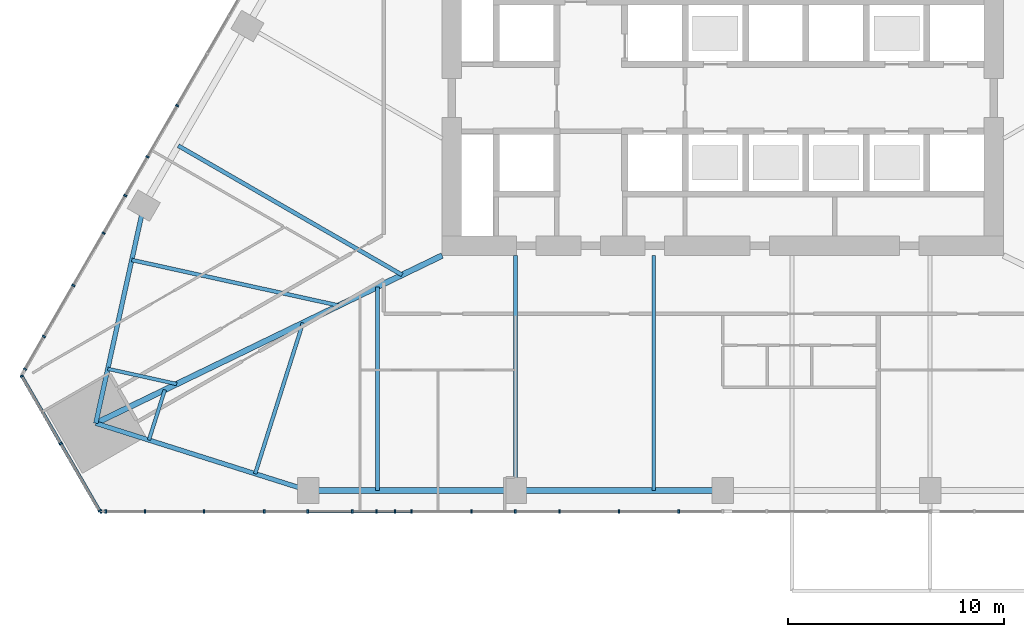
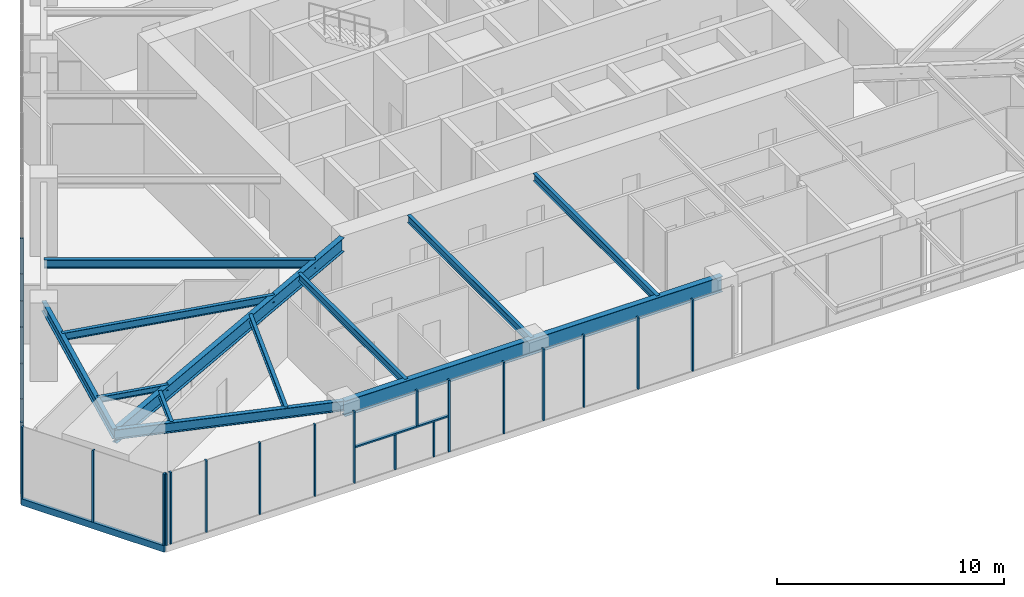
# One storey, part 2 of 29: 27 members, 12 beams, 3 elements without a shape of their own.
"""IFC4 building model written with IfcOpenShell, lengths in metres."""

from ifc_helpers import new_model, si_unit, direction, frame, origin, origin_2d, place, context, subcontext, project, spatial, rectangle, i_section, extrude, material, layer, layer_set, material_profile, profile_set, type_object, element, aggregate, save


model = new_model("IFC4")

# Units and contexts
model_context = context("Model", 3, precision=1e-05, world=origin(), true_north=direction((0.0, 1.0)))
body_context = subcontext(model_context, "Body", "Model", "MODEL_VIEW")
ifc_project = project(units=[si_unit("LENGTHUNIT", "METRE"), si_unit("AREAUNIT", "SQUARE_METRE"), si_unit("VOLUMEUNIT", "CUBIC_METRE"), si_unit("PLANEANGLEUNIT", "RADIAN"), si_unit("MASSUNIT", "GRAM", prefix="KILO")], contexts=[model_context])

# Site, building, storey
site_placement = place(None, origin())
site = spatial("IfcSite", under=ifc_project, at=site_placement, CompositionType="ELEMENT")
building_placement = place(site_placement, origin())
building = spatial("IfcBuilding", under=site, at=building_placement, Name="Firuza Gate Tower and Library", CompositionType="ELEMENT")
storey_placement = place(building_placement, frame((0.0, 0.0, 44.199951171875)))
storey = spatial("IfcBuildingStorey", under=building, at=storey_placement, Name="L09", CompositionType="ELEMENT", Elevation=44.199951171875)

# Curtain wall, members
ifc_material_1 = material(Name="Aluminium 6063-T6", Category="aluminium")
ifc_layer_1 = layer(ifc_material_1, 0.14990234375)
ifc_layer_set_1 = layer_set([ifc_layer_1], Name="Unitised curtain wall, offices")
curtain_wall_type_1 = type_object("IfcCurtainWallType", Name="Unitised curtain wall, offices", PredefinedType="NOTDEFINED", material=ifc_layer_set_1)
placement = place(storey_placement, origin())
curtain_wall_1 = element("IfcCurtainWall", 1, at=placement, inside=storey, type_object=curtain_wall_type_1, Name="CW1 L09 S face", PredefinedType="NOTDEFINED")
ifc_material_2 = material(Name="Aluminium 6063-T6", Category="aluminium")
ifc_material_profile_1 = material_profile(ifc_material_2, rectangle(XDim=0.14990234375, YDim=0.080078125, at=origin_2d()))
ifc_profile_set_1 = profile_set([ifc_material_profile_1], Name="Aluminium 6063-T6")
member_type_1 = type_object("IfcMemberType", Name="Curtain wall mullion 80x150", PredefinedType="MULLION", material=ifc_profile_set_1)
member_1_placement = place(storey_placement, frame((46.19677734375, 54.140380859375, 0.150146484375), z_axis=(0.0, 0.0, 1.0), x_axis=(0.0, 1.0, 0.0)))
member_1 = element("IfcMember", 2, at=member_1_placement, type_object=member_type_1, Name="Mullion", PredefinedType="MULLION", context=body_context, shape_type="SweptSolid", body=[
    extrude(rectangle(XDim=0.14990234375, YDim=0.080078125, at=origin_2d()), origin(), (0.0, 0.0, 1.0), 3.849853515625),
])
member_2_placement = place(storey_placement, frame((50.9638671875, 54.140380859375, 0.150146484375), z_axis=(0.0, 0.0, 1.0), x_axis=(0.0, 1.0, 0.0)))
member_2 = element("IfcMember", 3, at=member_2_placement, type_object=member_type_1, Name="Mullion", PredefinedType="MULLION", context=body_context, shape_type="SweptSolid", body=[
    extrude(rectangle(XDim=0.14990234375, YDim=0.080078125, at=origin_2d()), origin(), (0.0, 0.0, 1.0), 3.849853515625),
])
member_3_placement = place(storey_placement, frame((55.771240234375, 54.140380859375, 0.150146484375), z_axis=(0.0, 0.0, 1.0), x_axis=(0.0, 1.0, 0.0)))
member_3 = element("IfcMember", 4, at=member_3_placement, type_object=member_type_1, Name="Mullion", PredefinedType="MULLION", context=body_context, shape_type="SweptSolid", body=[
    extrude(rectangle(XDim=0.14990234375, YDim=0.080078125, at=origin_2d()), origin(), (0.0, 0.0, 1.0), 3.849853515625),
])
member_4_placement = place(storey_placement, frame((60.578369140625, 54.140380859375, 0.150146484375), z_axis=(0.0, 0.0, 1.0), x_axis=(0.0, 1.0, 0.0)))
member_4 = element("IfcMember", 5, at=member_4_placement, type_object=member_type_1, Name="Mullion", PredefinedType="MULLION", context=body_context, shape_type="SweptSolid", body=[
    extrude(rectangle(XDim=0.14990234375, YDim=0.080078125, at=origin_2d()), origin(), (0.0, 0.0, 1.0), 3.849853515625),
])
member_5_placement = place(storey_placement, frame((65.385498046875, 54.140380859375, 0.150146484375), z_axis=(0.0, 0.0, 1.0), x_axis=(0.0, 1.0, 0.0)))
member_5 = element("IfcMember", 6, at=member_5_placement, type_object=member_type_1, Name="Mullion", PredefinedType="MULLION", context=body_context, shape_type="SweptSolid", body=[
    extrude(rectangle(XDim=0.14990234375, YDim=0.080078125, at=origin_2d()), origin(), (0.0, 0.0, 1.0), 3.849853515625),
])
member_6_placement = place(storey_placement, frame((70.19287109375, 54.140380859375, 0.150146484375), z_axis=(0.0, 0.0, 1.0), x_axis=(0.0, 1.0, 0.0)))
member_6 = element("IfcMember", 7, at=member_6_placement, type_object=member_type_1, Name="Mullion", PredefinedType="MULLION", context=body_context, shape_type="SweptSolid", body=[
    extrude(rectangle(XDim=0.14990234375, YDim=0.080078125, at=origin_2d()), origin(), (0.0, 0.0, 1.0), 3.849853515625),
])
member_7_placement = place(storey_placement, frame((46.4228515625, 54.140380859375, 0.150146484375), z_axis=(0.0, 0.0, 1.0), x_axis=(0.0, 1.0, 0.0)))
member_7 = element("IfcMember", 8, at=member_7_placement, type_object=member_type_1, Name="Mullion", PredefinedType="MULLION", context=body_context, shape_type="SweptSolid", body=[
    extrude(rectangle(XDim=0.14990234375, YDim=0.080078125, at=origin_2d()), origin(), (0.0, 0.0, 1.0), 3.849853515625),
])
member_8_placement = place(storey_placement, frame((48.237548828125, 54.140380859375, 0.150146484375), z_axis=(0.0, 0.0, 1.0), x_axis=(0.0, 1.0, 0.0)))
member_8 = element("IfcMember", 9, at=member_8_placement, type_object=member_type_1, Name="Mullion", PredefinedType="MULLION", context=body_context, shape_type="SweptSolid", body=[
    extrude(rectangle(XDim=0.14990234375, YDim=0.080078125, at=origin_2d()), origin(), (0.0, 0.0, 1.0), 3.849853515625),
])
member_9_placement = place(storey_placement, frame((53.762451171875, 54.140380859375, 0.150146484375), z_axis=(0.0, 0.0, 1.0), x_axis=(0.0, 1.0, 0.0)))
member_9 = element("IfcMember", 10, at=member_9_placement, type_object=member_type_1, Name="Mullion", PredefinedType="MULLION", context=body_context, shape_type="SweptSolid", body=[
    extrude(rectangle(XDim=0.14990234375, YDim=0.080078125, at=origin_2d()), origin(), (0.0, 0.0, 1.0), 3.849853515625),
])
member_10_placement = place(storey_placement, frame((57.837646484375, 54.140380859375, 0.150146484375), z_axis=(0.0, 0.0, 1.0), x_axis=(0.0, 1.0, 0.0)))
member_10 = element("IfcMember", 11, at=member_10_placement, type_object=member_type_1, Name="Mullion", PredefinedType="MULLION", context=body_context, shape_type="SweptSolid", body=[
    extrude(rectangle(XDim=0.14990234375, YDim=0.080078125, at=origin_2d()), origin(), (0.0, 0.0, 1.0), 1.885009765625),
])
member_11_placement = place(storey_placement, frame((59.81103515625, 54.140380859375, 0.150146484375), z_axis=(0.0, 0.0, 1.0), x_axis=(0.0, 1.0, 0.0)))
member_11 = element("IfcMember", 12, at=member_11_placement, type_object=member_type_1, Name="Mullion", PredefinedType="MULLION", context=body_context, shape_type="SweptSolid", body=[
    extrude(rectangle(XDim=0.14990234375, YDim=0.080078125, at=origin_2d()), origin(), (0.0, 0.0, 1.0), 1.885009765625),
])
member_12_placement = place(storey_placement, frame((58.96044921875, 54.140380859375, 2.114990234375), z_axis=(0.0, 0.0, 1.0), x_axis=(0.0, 1.0, 0.0)))
member_12 = element("IfcMember", 13, at=member_12_placement, type_object=member_type_1, Name="Mullion", PredefinedType="MULLION", context=body_context, shape_type="SweptSolid", body=[
    extrude(rectangle(XDim=0.14990234375, YDim=0.080078125, at=origin_2d()), origin(), (0.0, 0.0, 1.0), 1.885009765625),
])
member_13_placement = place(storey_placement, frame((63.3623046875, 54.140380859375, 0.150146484375), z_axis=(0.0, 0.0, 1.0), x_axis=(0.0, 1.0, 0.0)))
member_13 = element("IfcMember", 14, at=member_13_placement, type_object=member_type_1, Name="Mullion", PredefinedType="MULLION", context=body_context, shape_type="SweptSolid", body=[
    extrude(rectangle(XDim=0.14990234375, YDim=0.080078125, at=origin_2d()), origin(), (0.0, 0.0, 1.0), 3.849853515625),
])
member_14_placement = place(storey_placement, frame((67.4375, 54.140380859375, 0.150146484375), z_axis=(0.0, 0.0, 1.0), x_axis=(0.0, 1.0, 0.0)))
member_14 = element("IfcMember", 15, at=member_14_placement, type_object=member_type_1, Name="Mullion", PredefinedType="MULLION", context=body_context, shape_type="SweptSolid", body=[
    extrude(rectangle(XDim=0.14990234375, YDim=0.080078125, at=origin_2d()), origin(), (0.0, 0.0, 1.0), 3.849853515625),
])
member_15_placement = place(storey_placement, frame((72.96240234375, 54.140380859375, 0.150146484375), z_axis=(0.0, 0.0, 1.0), x_axis=(0.0, 1.0, 0.0)))
member_15 = element("IfcMember", 16, at=member_15_placement, type_object=member_type_1, Name="Mullion", PredefinedType="MULLION", context=body_context, shape_type="SweptSolid", body=[
    extrude(rectangle(XDim=0.14990234375, YDim=0.080078125, at=origin_2d()), origin(), (0.0, 0.0, 1.0), 3.849853515625),
])

curtain_wall_2 = element("IfcCurtainWall", 17, at=placement, inside=storey, type_object=curtain_wall_type_1, Name="CW1 L09 W face", PredefinedType="NOTDEFINED")
member_16_placement = place(storey_placement, frame((49.72412109375, 72.940185546875, 0.150146484375), z_axis=(0.0, 0.0, 1.0), x_axis=(0.866025403784, -0.5, 0.0)))
member_16 = element("IfcMember", 18, at=member_16_placement, type_object=member_type_1, Name="Mullion", PredefinedType="MULLION", context=body_context, shape_type="SweptSolid", body=[
    extrude(rectangle(XDim=0.14990234375, YDim=0.080078125, at=origin_2d()), origin(), (0.0, 0.0, 1.0), 3.849853515625),
])
member_17_placement = place(storey_placement, frame((47.320556640625, 68.777099609375, 0.150146484375), z_axis=(0.0, 0.0, 1.0), x_axis=(0.866025403784, -0.5, 0.0)))
member_17 = element("IfcMember", 19, at=member_17_placement, type_object=member_type_1, Name="Mullion", PredefinedType="MULLION", context=body_context, shape_type="SweptSolid", body=[
    extrude(rectangle(XDim=0.14990234375, YDim=0.080078125, at=origin_2d()), origin(), (0.0, 0.0, 1.0), 3.849853515625),
])
member_18_placement = place(storey_placement, frame((44.9169921875, 64.614013671875, 0.150146484375), z_axis=(0.0, 0.0, 1.0), x_axis=(0.866025403784, -0.5, 0.0)))
member_18 = element("IfcMember", 20, at=member_18_placement, type_object=member_type_1, Name="Mullion", PredefinedType="MULLION", context=body_context, shape_type="SweptSolid", body=[
    extrude(rectangle(XDim=0.14990234375, YDim=0.080078125, at=origin_2d()), origin(), (0.0, 0.0, 1.0), 3.849853515625),
])
member_19_placement = place(storey_placement, frame((48.353759765625, 70.566650390625, 0.150146484375), z_axis=(0.0, 0.0, 1.0), x_axis=(0.866025403784, -0.5, 0.0)))
member_19 = element("IfcMember", 21, at=member_19_placement, type_object=member_type_1, Name="Mullion", PredefinedType="MULLION", context=body_context, shape_type="SweptSolid", body=[
    extrude(rectangle(XDim=0.14990234375, YDim=0.080078125, at=origin_2d()), origin(), (0.0, 0.0, 1.0), 3.849853515625),
])
member_20_placement = place(storey_placement, frame((46.316162109375, 67.03759765625, 0.150146484375), z_axis=(0.0, 0.0, 1.0), x_axis=(0.866025403784, -0.5, 0.0)))
member_20 = element("IfcMember", 22, at=member_20_placement, type_object=member_type_1, Name="Mullion", PredefinedType="MULLION", context=body_context, shape_type="SweptSolid", body=[
    extrude(rectangle(XDim=0.14990234375, YDim=0.080078125, at=origin_2d()), origin(), (0.0, 0.0, 1.0), 3.849853515625),
])
member_21_placement = place(storey_placement, frame((43.553955078125, 62.2529296875, 0.150146484375), z_axis=(0.0, 0.0, 1.0), x_axis=(0.866025403784, -0.5, 0.0)))
member_21 = element("IfcMember", 23, at=member_21_placement, type_object=member_type_1, Name="Mullion", PredefinedType="MULLION", context=body_context, shape_type="SweptSolid", body=[
    extrude(rectangle(XDim=0.14990234375, YDim=0.080078125, at=origin_2d()), origin(), (0.0, 0.0, 1.0), 3.849853515625),
])
member_22_placement = place(storey_placement, frame((42.678955078125, 60.737548828125, 0.150146484375), z_axis=(0.0, 0.0, 1.0), x_axis=(0.866025403784, -0.5, 0.0)))
member_22 = element("IfcMember", 24, at=member_22_placement, type_object=member_type_1, Name="Mullion", PredefinedType="MULLION", context=body_context, shape_type="SweptSolid", body=[
    extrude(rectangle(XDim=0.14990234375, YDim=0.080078125, at=origin_2d()), origin(), (0.0, 0.0, 1.0), 3.849853515625),
])
aggregate(curtain_wall_2, [member_16, member_17, member_18, member_19, member_20, member_21, member_22])

ifc_material_3 = material(Name="Aluminium 6063-T6", Category="aluminium")
ifc_layer_2 = layer(ifc_material_3, 0.14990234375)
ifc_layer_set_2 = layer_set([ifc_layer_2], Name="Corner curtain wall, chamfers")
curtain_wall_type_2 = type_object("IfcCurtainWallType", Name="Corner curtain wall, chamfers", PredefinedType="NOTDEFINED", material=ifc_layer_set_2)
curtain_wall_3 = element("IfcCurtainWall", 25, at=placement, inside=storey, type_object=curtain_wall_type_2, Name="CW4 L09 SW corner", PredefinedType="NOTDEFINED")
member_23_placement = place(storey_placement, frame((42.533447265625, 60.416015625, 0.150146484375), z_axis=(0.0, 0.0, 1.0), x_axis=(0.866025403784, 0.5, 0.0)))
member_23 = element("IfcMember", 26, at=member_23_placement, type_object=member_type_1, Name="Mullion", PredefinedType="MULLION", context=body_context, shape_type="SweptSolid", body=[
    extrude(rectangle(XDim=0.14990234375, YDim=0.080078125, at=origin_2d()), origin(), (0.0, 0.0, 1.0), 3.849853515625),
])
member_24_placement = place(storey_placement, frame((44.3349609375, 57.295654296875, 0.150146484375), z_axis=(0.0, 0.0, 1.0), x_axis=(0.866025403784, 0.5, 0.0)))
member_24 = element("IfcMember", 27, at=member_24_placement, type_object=member_type_1, Name="Mullion", PredefinedType="MULLION", context=body_context, shape_type="SweptSolid", body=[
    extrude(rectangle(XDim=0.14990234375, YDim=0.080078125, at=origin_2d()), origin(), (0.0, 0.0, 1.0), 3.849853515625),
])
member_25_placement = place(storey_placement, frame((46.13671875, 54.175048828125, 0.150146484375), z_axis=(0.0, 0.0, 1.0), x_axis=(0.866025403784, 0.5, 0.0)))
member_25 = element("IfcMember", 28, at=member_25_placement, type_object=member_type_1, Name="Mullion", PredefinedType="MULLION", context=body_context, shape_type="SweptSolid", body=[
    extrude(rectangle(XDim=0.14990234375, YDim=0.080078125, at=origin_2d()), origin(), (0.0, 0.0, 1.0), 3.849853515625),
])
ifc_material_4 = material(Name="Aluminium 6063-T6", Category="aluminium")
ifc_material_profile_2 = material_profile(ifc_material_4, rectangle(XDim=0.14990234375, YDim=0.35009765625, at=origin_2d()))
ifc_profile_set_2 = profile_set([ifc_material_profile_2], Name="Aluminium 6063-T6")
member_type_2 = type_object("IfcMemberType", Name="Curtain wall transom 350x150", PredefinedType="USERDEFINED", material=ifc_profile_set_2)
member_26_placement = place(storey_placement, frame((42.513427734375, 60.45068359375, -0.02490234375), z_axis=(0.500005719219, -0.866022101766, 0.0), x_axis=(0.866022101766, 0.500005719219, 0.0)))
member_26 = element("IfcMember", 29, at=member_26_placement, type_object=member_type_2, Name="Transom", ObjectType="TRANSOM", PredefinedType="USERDEFINED", context=body_context, shape_type="SweptSolid", body=[
    extrude(rectangle(XDim=0.14990234375, YDim=0.35009765625, at=origin_2d()), origin(), (0.0, 0.0, 1.0), 7.28662109375),
])
aggregate(curtain_wall_3, [member_23, member_24, member_25, member_26])

# Member
ifc_material_5 = material(Name="Aluminium 6063-T6", Category="aluminium")
ifc_material_profile_3 = material_profile(ifc_material_5, rectangle(XDim=0.14990234375, YDim=0.080078125, at=origin_2d()))
ifc_profile_set_3 = profile_set([ifc_material_profile_3], Name="Aluminium 6063-T6")
member_type_3 = type_object("IfcMemberType", Name="Curtain wall transom 80x150", PredefinedType="USERDEFINED", material=ifc_profile_set_3)
member_27_placement = place(storey_placement, frame((55.81103515625, 54.140380859375, 2.074951171875), z_axis=(1.0, 0.0, 0.0), x_axis=(0.0, 1.0, 0.0)))
member_27 = element("IfcMember", 30, at=member_27_placement, type_object=member_type_3, Name="Transom", ObjectType="TRANSOM", PredefinedType="USERDEFINED", context=body_context, shape_type="SweptSolid", body=[
    extrude(rectangle(XDim=0.14990234375, YDim=0.080078125, at=origin_2d()), origin(), (0.0, 0.0, 1.0), 4.727294921875),
])

aggregate(curtain_wall_1, [member_1, member_2, member_3, member_4, member_5, member_6, member_7, member_8, member_9, member_10, member_11, member_12, member_27, member_13, member_14, member_15])

# Beams
ifc_material_6 = material(Name="Steel S355", Category="steel")
ifc_material_profile_4 = material_profile(ifc_material_6, i_section(OverallWidth=0.1650390625, OverallDepth=0.31005859375, WebThickness=0.005859375, FlangeThickness=0.009765625, at=origin_2d()))
ifc_profile_set_4 = profile_set([ifc_material_profile_4], Name="Steel S355")
beam_type_1 = type_object("IfcBeamType", Name="W310x39 Floor beam", PredefinedType="JOIST", material=ifc_profile_set_4)
beam_1_placement = place(storey_placement, frame((46.513916015625, 60.75341796875, 3.844970703125), z_axis=(0.976601243751, -0.215058156564, 0.0), x_axis=(0.215058156564, 0.976601243751, 0.0)))
element("IfcBeam", 31, at=beam_1_placement, inside=storey, type_object=beam_type_1, Name="Floor beam L09 s01", PredefinedType="JOIST", context=body_context, shape_type="SweptSolid", body=[
    extrude(i_section(OverallWidth=0.1650390625, OverallDepth=0.31005859375, WebThickness=0.005859375, FlangeThickness=0.009765625, at=origin_2d()), origin(), (0.0, 0.0, 1.0), 3.27294921875),
])
beam_2_placement = place(storey_placement, frame((48.419189453125, 57.45361328125, 3.844970703125), z_axis=(0.30197349393, 0.953316321566, 0.0), x_axis=(-0.953316321566, 0.30197349393, 0.0)))
element("IfcBeam", 32, at=beam_2_placement, inside=storey, type_object=beam_type_1, Name="Floor beam L09 s10", PredefinedType="JOIST", context=body_context, shape_type="SweptSolid", body=[
    extrude(i_section(OverallWidth=0.1650390625, OverallDepth=0.31005859375, WebThickness=0.005859375, FlangeThickness=0.009765625, at=origin_2d()), origin(), (0.0, 0.0, 1.0), 2.441650390625),
])
ifc_material_7 = material(Name="Steel S355", Category="steel")
ifc_material_profile_5 = material_profile(ifc_material_7, i_section(OverallWidth=0.1708984375, OverallDepth=0.35498046875, WebThickness=0.007080078125, FlangeThickness=0.01171875, at=origin_2d()))
ifc_profile_set_5 = profile_set([ifc_material_profile_5], Name="Steel S355")
beam_type_2 = type_object("IfcBeamType", Name="W360x51 Floor beam", PredefinedType="JOIST", material=ifc_profile_set_5)
beam_3_placement = place(storey_placement, frame((53.339599609375, 55.894775390625, 3.822509765625), z_axis=(0.302024477968, 0.953300170307, 0.0), x_axis=(-0.953300170307, 0.302024477968, 0.0)))
element("IfcBeam", 33, at=beam_3_placement, inside=storey, type_object=beam_type_2, Name="Floor beam L09 s11", PredefinedType="JOIST", context=body_context, shape_type="SweptSolid", body=[
    extrude(i_section(OverallWidth=0.1708984375, OverallDepth=0.35498046875, WebThickness=0.007080078125, FlangeThickness=0.01171875, at=origin_2d()), origin(), (0.0, 0.0, 1.0), 7.3251953125),
])
ifc_material_8 = material(Name="Steel S355", Category="steel")
ifc_material_profile_6 = material_profile(ifc_material_8, i_section(OverallWidth=0.177978515625, OverallDepth=0.406982421875, WebThickness=0.0078125, FlangeThickness=0.0126953125, at=origin_2d()))
ifc_profile_set_6 = profile_set([ifc_material_profile_6], Name="Steel S355")
beam_type_3 = type_object("IfcBeamType", Name="W410x60 Floor beam", PredefinedType="JOIST", material=ifc_profile_set_6)
beam_4_placement = place(storey_placement, frame((47.624267578125, 65.794189453125, 3.796630859375), z_axis=(0.97658964753, -0.215110809441, 0.0), x_axis=(0.215110809441, 0.97658964753, 0.0)))
element("IfcBeam", 34, at=beam_4_placement, inside=storey, type_object=beam_type_3, Name="Floor beam L09 s00", PredefinedType="JOIST", context=body_context, shape_type="SweptSolid", body=[
    extrude(i_section(OverallWidth=0.177978515625, OverallDepth=0.406982421875, WebThickness=0.0078125, FlangeThickness=0.0126953125, at=origin_2d()), origin(), (0.0, 0.0, 1.0), 9.818359375),
])
beam_5_placement = place(storey_placement, frame((59.0, 55.115478515625, 3.796630859375), z_axis=(0.0, 1.0, 0.0), x_axis=(-1.0, 0.0, 0.0)))
element("IfcBeam", 35, at=beam_5_placement, inside=storey, type_object=beam_type_3, Name="Floor beam L09 s20", PredefinedType="JOIST", context=body_context, shape_type="SweptSolid", body=[
    extrude(i_section(OverallWidth=0.177978515625, OverallDepth=0.406982421875, WebThickness=0.0078125, FlangeThickness=0.0126953125, at=origin_2d()), origin(), (0.0, 0.0, 1.0), 9.431884765625),
])
for number, where, z_axis, x_axis, name in (
    (36, (65.39990234375, 55.115478515625, 3.796630859375), (0.0, 1.0, 0.0), (-1.0, 0.0, 0.0), "Floor beam L09 s21"),
    (37, (71.800048828125, 55.115478515625, 3.796630859375), (0.0, 1.0, 0.0), (-1.0, 0.0, 0.0), "Floor beam L09 s22"),
):
    element("IfcBeam", number, at=place(storey_placement, frame(where, z_axis=z_axis, x_axis=x_axis)), inside=storey, type_object=beam_type_3, Name=name, PredefinedType="JOIST", context=body_context, shape_type="SweptSolid", body=[
        extrude(i_section(OverallWidth=0.177978515625, OverallDepth=0.406982421875, WebThickness=0.0078125, FlangeThickness=0.0126953125, at=origin_2d()), origin(), (0.0, 0.0, 1.0), 10.884521484375),
    ])
ifc_material_9 = material(Name="Steel S355", Category="steel")
ifc_material_profile_7 = material_profile(ifc_material_9, i_section(OverallWidth=0.18994140625, OverallDepth=0.45703125, WebThickness=0.009033203125, FlangeThickness=0.014404296875, at=origin_2d()))
ifc_profile_set_7 = profile_set([ifc_material_profile_7], Name="Steel S355")
beam_type_4 = type_object("IfcBeamType", Name="W460x74 Floor beam", PredefinedType="JOIST", material=ifc_profile_set_7)
beam_6_placement = place(storey_placement, frame((49.779541015625, 71.0859375, 3.771484375), z_axis=(0.866020154196, -0.500009092443, 0.0), x_axis=(0.500009092443, 0.866020154196, 0.0)))
element("IfcBeam", 38, at=beam_6_placement, inside=storey, type_object=beam_type_4, Name="Floor beam L09 s85", PredefinedType="JOIST", context=body_context, shape_type="SweptSolid", body=[
    extrude(i_section(OverallWidth=0.18994140625, OverallDepth=0.45703125, WebThickness=0.009033203125, FlangeThickness=0.014404296875, at=origin_2d()), origin(), (0.0, 0.0, 1.0), 11.968505859375),
])
ifc_material_10 = material(Name="Steel S355", Category="steel")
ifc_material_profile_8 = material_profile(ifc_material_10, i_section(OverallWidth=0.212890625, OverallDepth=0.5390625, WebThickness=0.01171875, FlangeThickness=0.018798828125, at=origin_2d()))
ifc_profile_set_8 = profile_set([ifc_material_profile_8], Name="Steel S355")
beam_type_5 = type_object("IfcBeamType", Name="W530x109 Edge beam", PredefinedType="SPANDREL", material=ifc_profile_set_8)
for number, where, z_axis, x_axis, name in (
    (39, (48.179443359375, 68.314697265625, 3.73046875), (-0.215117130091, -0.976588255275, 0.0), (0.976588255275, -0.215117130091, 0.0), "Edge beam L09 e00"),
    (40, (45.958740234375, 58.233154296875, 3.73046875), (0.953307052276, -0.302002755087, 0.0), (0.302002755087, 0.953307052276, 0.0), "Edge beam L09 e10"),
):
    element("IfcBeam", number, at=place(storey_placement, frame(where, z_axis=z_axis, x_axis=x_axis)), inside=storey, type_object=beam_type_5, Name=name, PredefinedType="SPANDREL", context=body_context, shape_type="SweptSolid", body=[
        extrude(i_section(OverallWidth=0.212890625, OverallDepth=0.5390625, WebThickness=0.01171875, FlangeThickness=0.018798828125, at=origin_2d()), origin(), (0.0, 0.0, 1.0), 10.3232421875),
    ])
ifc_material_11 = material(Name="Steel S355", Category="steel")
ifc_material_profile_9 = material_profile(ifc_material_11, i_section(OverallWidth=0.264892578125, OverallDepth=0.7529296875, WebThickness=0.01318359375, FlangeThickness=0.01708984375, at=origin_2d()))
ifc_profile_set_9 = profile_set([ifc_material_profile_9], Name="Steel S355")
beam_type_6 = type_object("IfcBeamType", Name="W760x147 Girder", PredefinedType="BEAM", material=ifc_profile_set_9)
beam_7_placement = place(storey_placement, frame((45.958740234375, 58.233154296875, 3.62353515625), z_axis=(0.900050421894, 0.43578577082, 0.0), x_axis=(-0.43578577082, 0.900050421894, 0.0)))
element("IfcBeam", 41, at=beam_7_placement, inside=storey, type_object=beam_type_6, Name="Girder L09 gSW", PredefinedType="BEAM", context=body_context, shape_type="SweptSolid", body=[
    extrude(i_section(OverallWidth=0.264892578125, OverallDepth=0.7529296875, WebThickness=0.01318359375, FlangeThickness=0.01708984375, at=origin_2d()), origin(), (0.0, 0.0, 1.0), 17.822509765625),
])
ifc_material_12 = material(Name="Steel S355", Category="steel")
ifc_material_profile_10 = material_profile(ifc_material_12, i_section(OverallWidth=0.2919921875, OverallDepth=0.8349609375, WebThickness=0.013916015625, FlangeThickness=0.018798828125, at=origin_2d()))
ifc_profile_set_10 = profile_set([ifc_material_profile_10], Name="Steel S355")
beam_type_7 = type_object("IfcBeamType", Name="W840x176 Edge beam", PredefinedType="SPANDREL", material=ifc_profile_set_10)
beam_8_placement = place(storey_placement, frame((55.800048828125, 55.115478515625, 3.58251953125), z_axis=(1.0, 0.0, 0.0), x_axis=(0.0, 1.0, 0.0)))
element("IfcBeam", 42, at=beam_8_placement, inside=storey, type_object=beam_type_7, Name="Edge beam L09 e20", PredefinedType="SPANDREL", context=body_context, shape_type="SweptSolid", body=[
    extrude(i_section(OverallWidth=0.2919921875, OverallDepth=0.8349609375, WebThickness=0.013916015625, FlangeThickness=0.018798828125, at=origin_2d()), origin(), (0.0, 0.0, 1.0), 19.199951171875),
])

save(model, "model.ifc")
